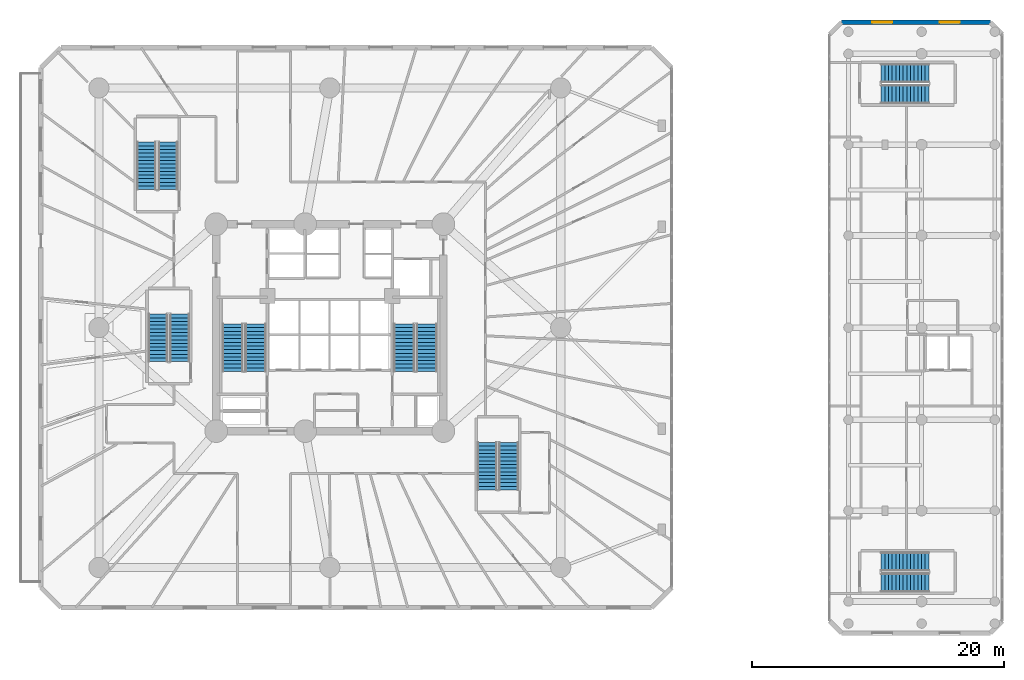
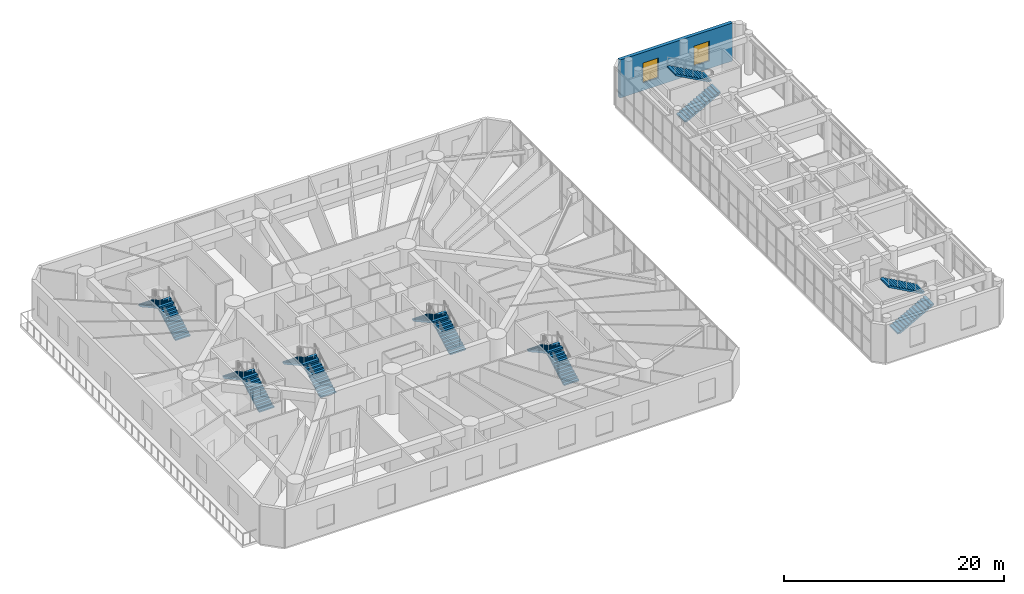
# One storey, part 18 of 24: 14 stair flights, 2 windows, 1 wall, 2 openings, 7 elements without a shape of their own.
"""IFC4 building model written with IfcOpenShell, lengths in metres."""

from ifc_helpers import new_model, si_unit, direction, frame, frame_2d, origin, origin_with_axes, place, context, subcontext, project, spatial, polyline, rectangle, outline, extrude, source, transform, mapped, material, layer, layer_set, type_object, element, fill, aggregate, save


model = new_model("IFC4")

# Units and contexts
model_context = context("Model", 3, precision=1e-05, world=origin(), true_north=direction((0.0, 1.0)))
body_context = subcontext(model_context, "Body", "Model", "MODEL_VIEW")
ifc_project = project(units=[si_unit("LENGTHUNIT", "METRE"), si_unit("AREAUNIT", "SQUARE_METRE"), si_unit("VOLUMEUNIT", "CUBIC_METRE"), si_unit("PLANEANGLEUNIT", "RADIAN"), si_unit("MASSUNIT", "GRAM", prefix="KILO")], contexts=[model_context])

# Site, building, storey
site_placement = place(None, origin())
site = spatial("IfcSite", under=ifc_project, at=site_placement, CompositionType="ELEMENT")
building_placement = place(site_placement, origin())
building = spatial("IfcBuilding", under=site, at=building_placement, Name="Karkom Vertical University and Central Library", CompositionType="ELEMENT")
storey_placement = place(building_placement, frame((0.0, 0.0, 13.5)))
storey = spatial("IfcBuildingStorey", under=building, at=storey_placement, Name="L03", CompositionType="ELEMENT", Elevation=13.5)

# Wall, openings, windows
ifc_material_1 = material(Name="Brick masonry 360mm insulated cavity", Category="masonry")
ifc_layer = layer(ifc_material_1, 0.360107421875)
ifc_layer_set = layer_set([ifc_layer], Name="Brick masonry 360mm insulated cavity")
wall_type = type_object("IfcWallType", Name="ENV-WL-BRK-360", PredefinedType="SOLIDWALL", material=ifc_layer_set)
wall_placement = place(storey_placement, frame((80.85009765625, 50.699951171875, 0.0), z_axis=(0.0, 0.0, 1.0), x_axis=(-1.0, 0.0, 0.0)))
wall = element("IfcWall", 1, at=wall_placement, inside=storey, type_object=wall_type, Name="Level 03 LIB Terracotta Brick Facade Wall 05", PredefinedType="SOLIDWALL", context=body_context, shape_type="SweptSolid", body=[
    extrude(rectangle(XDim=11.800048828125, YDim=0.360107421875, at=frame_2d((5.89990234375, 0.0))), origin(), (0.0, 0.0, 1.0), 4.22509765625),
])
opening_1_placement = place(wall_placement, frame((2.425048828125, 0.0, 0.85009765625)))
opening_1 = element("IfcOpeningElement", 2, at=opening_1_placement, cuts=wall, Name="Opening WN-02", PredefinedType="OPENING", context=body_context, shape_type="SweptSolid", body=[
    extrude(rectangle(XDim=1.60009765625, YDim=2.199951171875, at=frame_2d((0.800048828125, 1.10009765625))), frame((0.0, 0.18994140625, 0.0), z_axis=(0.0, -1.0, 0.0), x_axis=(1.0, 0.0, 0.0)), (0.0, 0.0, 1.0), 0.380126953125),
])
opening_2_placement = place(wall_placement, frame((7.77490234375, 0.0, 0.85009765625)))
opening_2 = element("IfcOpeningElement", 3, at=opening_2_placement, cuts=wall, Name="Opening WN-02", PredefinedType="OPENING", context=body_context, shape_type="SweptSolid", body=[
    extrude(rectangle(XDim=1.60009765625, YDim=2.199951171875, at=frame_2d((0.800048828125, 1.10009765625))), frame((0.0, 0.18994140625, 0.0), z_axis=(0.0, -1.0, 0.0), x_axis=(1.0, 0.0, 0.0)), (0.0, 0.0, 1.0), 0.380126953125),
])
ifc_material_2 = material(Name="Aluminium thermal-break frame with solar-control IGU", Category="aluminium")
window_type = type_object("IfcWindowType", Name="ENV-WIN-WN-02", PartitioningType="SINGLE_PANEL", PredefinedType="WINDOW", material=ifc_material_2)
shared_shape = source(origin_with_axes(), body_context, "Body", "SweptSolid", [
    extrude(rectangle(XDim=1.60009765625, YDim=2.199951171875, at=frame_2d((0.800048828125, 1.10009765625))), frame((0.0, 0.030029296875, 0.0), z_axis=(0.0, -1.0, 0.0), x_axis=(1.0, 0.0, 0.0)), (0.0, 0.0, 1.0), 0.06005859375),
])
window_1_placement = place(opening_1_placement, origin())
window_1 = element("IfcWindow", 4, at=window_1_placement, inside=storey, type_object=window_type, Name="Level 03 LIB Punched Window 01", OverallHeight=2.199951171875, OverallWidth=1.60009765625, PartitioningType="SINGLE_PANEL", PredefinedType="WINDOW", context=body_context, shape_type="MappedRepresentation", body=[
    mapped(shared_shape, transform((0.0, 0.0, 0.0), scale=1.0)),
])
fill(opening_1, window_1)
window_2_placement = place(opening_2_placement, origin())
window_2 = element("IfcWindow", 5, at=window_2_placement, inside=storey, type_object=window_type, Name="Level 03 LIB Punched Window 02", OverallHeight=2.199951171875, OverallWidth=1.60009765625, PartitioningType="SINGLE_PANEL", PredefinedType="WINDOW", context=body_context, shape_type="MappedRepresentation", body=[
    mapped(shared_shape, transform((0.0, 0.0, 0.0), scale=1.0)),
])
fill(opening_2, window_2)

# Stair, stair flights
ifc_material_3 = material(Name="Concrete C45/55", Category="concrete")
stair_type_1 = type_object("IfcStairType", Name="INT-STR-ST-LIB", PredefinedType="HALF_TURN_STAIR", material=ifc_material_3)
stair_1_placement = place(storey_placement, origin())
stair_1 = element("IfcStair", 6, at=stair_1_placement, inside=storey, type_object=stair_type_1, Name="Level 03 Central Library South Exit Stair LIB-ST1", PredefinedType="HALF_TURN_STAIR")
stair_flight_type_1 = type_object("IfcStairFlightType", Name="INT-SFL-ST-LIB", PredefinedType="STRAIGHT", material=ifc_material_3)
stair_flight_1_placement = place(storey_placement, frame((72.199951171875, 6.300048828125, 0.0), z_axis=(0.0, 0.0, 1.0), x_axis=(1.0, 0.0, 0.0)))
stair_flight_1 = element("IfcStairFlight", 7, at=stair_flight_1_placement, type_object=stair_flight_type_1, Name="LIB-ST1 flight 1", NumberOfRisers=14, NumberOfTreads=13, PredefinedType="STRAIGHT", RiserHeight=0.160714286, TreadLength=0.29, context=body_context, shape_type="SweptSolid", body=[
    extrude(outline(polyline([(0.0, 0.0), (0.0, 0.16064453125), (0.2900390625, 0.16064453125), (0.2900390625, 0.321533203125), (0.580078125, 0.321533203125), (0.580078125, 0.482177734375), (0.8701171875, 0.482177734375), (0.8701171875, 0.642822265625), (1.159912109375, 0.642822265625), (1.159912109375, 0.803466796875), (1.449951171875, 0.803466796875), (1.449951171875, 0.96435546875), (1.739990234375, 0.96435546875), (1.739990234375, 1.125), (2.030029296875, 1.125), (2.030029296875, 1.28564453125), (2.320068359375, 1.28564453125), (2.320068359375, 1.446533203125), (2.610107421875, 1.446533203125), (2.610107421875, 1.607177734375), (2.89990234375, 1.607177734375), (2.89990234375, 1.767822265625), (3.18994140625, 1.767822265625), (3.18994140625, 1.928466796875), (3.47998046875, 1.928466796875), (3.47998046875, 2.08935546875), (3.77001953125, 2.08935546875), (3.77001953125, 2.25), (3.77001953125, 1.91796875), (0.309326171875, 0.0), (0.0, 0.0)])), frame((0.0, 0.75, 0.0), z_axis=(0.0, -1.0, 0.0), x_axis=(1.0, 0.0, 0.0)), (0.0, 0.0, 1.0), 1.5),
])
stair_flight_2_placement = place(storey_placement, frame((75.969970703125, 7.9599609375, 2.25), z_axis=(0.0, 0.0, 1.0), x_axis=(-1.0, 0.0, 0.0)))
stair_flight_2 = element("IfcStairFlight", 8, at=stair_flight_2_placement, type_object=stair_flight_type_1, Name="LIB-ST1 flight 2", NumberOfRisers=14, NumberOfTreads=13, PredefinedType="STRAIGHT", RiserHeight=0.160714286, TreadLength=0.29, context=body_context, shape_type="SweptSolid", body=[
    extrude(outline(polyline([(0.0, 0.0), (0.0, 0.16064453125), (0.2900390625, 0.16064453125), (0.2900390625, 0.321533203125), (0.580078125, 0.321533203125), (0.580078125, 0.482177734375), (0.8701171875, 0.482177734375), (0.8701171875, 0.642822265625), (1.159912109375, 0.642822265625), (1.159912109375, 0.803466796875), (1.449951171875, 0.803466796875), (1.449951171875, 0.96435546875), (1.739990234375, 0.96435546875), (1.739990234375, 1.125), (2.030029296875, 1.125), (2.030029296875, 1.28564453125), (2.320068359375, 1.28564453125), (2.320068359375, 1.446533203125), (2.610107421875, 1.446533203125), (2.610107421875, 1.607177734375), (2.89990234375, 1.607177734375), (2.89990234375, 1.767822265625), (3.18994140625, 1.767822265625), (3.18994140625, 1.928466796875), (3.47998046875, 1.928466796875), (3.47998046875, 2.08935546875), (3.77001953125, 2.08935546875), (3.77001953125, 2.25), (3.77001953125, 1.91796875), (0.309326171875, 0.0), (0.0, 0.0)])), frame((0.0, 0.75, 0.0), z_axis=(0.0, -1.0, 0.0), x_axis=(1.0, 0.0, 0.0)), (0.0, 0.0, 1.0), 1.5),
])
aggregate(stair_1, [stair_flight_1, stair_flight_2])

stair_2_placement = place(storey_placement, origin())
stair_2 = element("IfcStair", 9, at=stair_2_placement, inside=storey, type_object=stair_type_1, Name="Level 03 Central Library North Exit Stair LIB-ST2", PredefinedType="HALF_TURN_STAIR")
stair_flight_3_placement = place(storey_placement, frame((72.199951171875, 45.0, 0.0), z_axis=(0.0, 0.0, 1.0), x_axis=(1.0, 0.0, 0.0)))
stair_flight_3 = element("IfcStairFlight", 10, at=stair_flight_3_placement, type_object=stair_flight_type_1, Name="LIB-ST2 flight 1", NumberOfRisers=14, NumberOfTreads=13, PredefinedType="STRAIGHT", RiserHeight=0.160714286, TreadLength=0.29, context=body_context, shape_type="SweptSolid", body=[
    extrude(outline(polyline([(0.0, 0.0), (0.0, 0.16064453125), (0.2900390625, 0.16064453125), (0.2900390625, 0.321533203125), (0.580078125, 0.321533203125), (0.580078125, 0.482177734375), (0.8701171875, 0.482177734375), (0.8701171875, 0.642822265625), (1.159912109375, 0.642822265625), (1.159912109375, 0.803466796875), (1.449951171875, 0.803466796875), (1.449951171875, 0.96435546875), (1.739990234375, 0.96435546875), (1.739990234375, 1.125), (2.030029296875, 1.125), (2.030029296875, 1.28564453125), (2.320068359375, 1.28564453125), (2.320068359375, 1.446533203125), (2.610107421875, 1.446533203125), (2.610107421875, 1.607177734375), (2.89990234375, 1.607177734375), (2.89990234375, 1.767822265625), (3.18994140625, 1.767822265625), (3.18994140625, 1.928466796875), (3.47998046875, 1.928466796875), (3.47998046875, 2.08935546875), (3.77001953125, 2.08935546875), (3.77001953125, 2.25), (3.77001953125, 1.91796875), (0.309326171875, 0.0), (0.0, 0.0)])), frame((0.0, 0.75, 0.0), z_axis=(0.0, -1.0, 0.0), x_axis=(1.0, 0.0, 0.0)), (0.0, 0.0, 1.0), 1.5),
])
stair_flight_4_placement = place(storey_placement, frame((75.969970703125, 46.659912109375, 2.25), z_axis=(0.0, 0.0, 1.0), x_axis=(-1.0, 0.0, 0.0)))
stair_flight_4 = element("IfcStairFlight", 11, at=stair_flight_4_placement, type_object=stair_flight_type_1, Name="LIB-ST2 flight 2", NumberOfRisers=14, NumberOfTreads=13, PredefinedType="STRAIGHT", RiserHeight=0.160714286, TreadLength=0.29, context=body_context, shape_type="SweptSolid", body=[
    extrude(outline(polyline([(0.0, 0.0), (0.0, 0.16064453125), (0.2900390625, 0.16064453125), (0.2900390625, 0.321533203125), (0.580078125, 0.321533203125), (0.580078125, 0.482177734375), (0.8701171875, 0.482177734375), (0.8701171875, 0.642822265625), (1.159912109375, 0.642822265625), (1.159912109375, 0.803466796875), (1.449951171875, 0.803466796875), (1.449951171875, 0.96435546875), (1.739990234375, 0.96435546875), (1.739990234375, 1.125), (2.030029296875, 1.125), (2.030029296875, 1.28564453125), (2.320068359375, 1.28564453125), (2.320068359375, 1.446533203125), (2.610107421875, 1.446533203125), (2.610107421875, 1.607177734375), (2.89990234375, 1.607177734375), (2.89990234375, 1.767822265625), (3.18994140625, 1.767822265625), (3.18994140625, 1.928466796875), (3.47998046875, 1.928466796875), (3.47998046875, 2.08935546875), (3.77001953125, 2.08935546875), (3.77001953125, 2.25), (3.77001953125, 1.91796875), (0.309326171875, 0.0), (0.0, 0.0)])), frame((0.0, 0.75, 0.0), z_axis=(0.0, -1.0, 0.0), x_axis=(1.0, 0.0, 0.0)), (0.0, 0.0, 1.0), 1.5),
])
aggregate(stair_2, [stair_flight_3, stair_flight_4])

stair_type_2 = type_object("IfcStairType", Name="INT-STR-ST-MAIN", PredefinedType="HALF_TURN_STAIR", material=ifc_material_3)
stair_3_placement = place(storey_placement, origin())
stair_3 = element("IfcStair", 12, at=stair_3_placement, inside=storey, type_object=stair_type_2, Name="Level 03 Tower Protected Exit Stair ST-1", PredefinedType="HALF_TURN_STAIR")
stair_flight_type_2 = type_object("IfcStairFlightType", Name="INT-SFL-ST-MAIN", PredefinedType="STRAIGHT", material=ifc_material_3)
stair_flight_5_placement = place(storey_placement, frame((22.614990234375, 23.02001953125, 0.0), z_axis=(0.0, 0.0, 1.0), x_axis=(0.0, 1.0, 0.0)))
stair_flight_5 = element("IfcStairFlight", 13, at=stair_flight_5_placement, type_object=stair_flight_type_2, Name="ST-1 flight 1", NumberOfRisers=14, NumberOfTreads=13, PredefinedType="STRAIGHT", RiserHeight=0.160714286, TreadLength=0.29, context=body_context, shape_type="SweptSolid", body=[
    extrude(outline(polyline([(0.0, 0.0), (0.0, 0.16064453125), (0.2900390625, 0.16064453125), (0.2900390625, 0.321533203125), (0.580078125, 0.321533203125), (0.580078125, 0.482177734375), (0.8701171875, 0.482177734375), (0.8701171875, 0.642822265625), (1.159912109375, 0.642822265625), (1.159912109375, 0.803466796875), (1.449951171875, 0.803466796875), (1.449951171875, 0.96435546875), (1.739990234375, 0.96435546875), (1.739990234375, 1.125), (2.030029296875, 1.125), (2.030029296875, 1.28564453125), (2.320068359375, 1.28564453125), (2.320068359375, 1.446533203125), (2.610107421875, 1.446533203125), (2.610107421875, 1.607177734375), (2.89990234375, 1.607177734375), (2.89990234375, 1.767822265625), (3.18994140625, 1.767822265625), (3.18994140625, 1.928466796875), (3.47998046875, 1.928466796875), (3.47998046875, 2.08935546875), (3.77001953125, 2.08935546875), (3.77001953125, 2.25), (3.77001953125, 1.91796875), (0.309326171875, 0.0), (0.0, 0.0)])), frame((0.0, 0.824951171875, 0.0), z_axis=(0.0, -1.0, 0.0), x_axis=(1.0, 0.0, 0.0)), (0.0, 0.0, 1.0), 1.64990234375),
])
stair_flight_6_placement = place(storey_placement, frame((20.804931640625, 26.7900390625, 2.25), z_axis=(0.0, 0.0, 1.0), x_axis=(0.0, -1.0, 0.0)))
stair_flight_6 = element("IfcStairFlight", 14, at=stair_flight_6_placement, type_object=stair_flight_type_2, Name="ST-1 flight 2", NumberOfRisers=14, NumberOfTreads=13, PredefinedType="STRAIGHT", RiserHeight=0.160714286, TreadLength=0.29, context=body_context, shape_type="SweptSolid", body=[
    extrude(outline(polyline([(0.0, 0.0), (0.0, 0.16064453125), (0.2900390625, 0.16064453125), (0.2900390625, 0.321533203125), (0.580078125, 0.321533203125), (0.580078125, 0.482177734375), (0.8701171875, 0.482177734375), (0.8701171875, 0.642822265625), (1.159912109375, 0.642822265625), (1.159912109375, 0.803466796875), (1.449951171875, 0.803466796875), (1.449951171875, 0.96435546875), (1.739990234375, 0.96435546875), (1.739990234375, 1.125), (2.030029296875, 1.125), (2.030029296875, 1.28564453125), (2.320068359375, 1.28564453125), (2.320068359375, 1.446533203125), (2.610107421875, 1.446533203125), (2.610107421875, 1.607177734375), (2.89990234375, 1.607177734375), (2.89990234375, 1.767822265625), (3.18994140625, 1.767822265625), (3.18994140625, 1.928466796875), (3.47998046875, 1.928466796875), (3.47998046875, 2.08935546875), (3.77001953125, 2.08935546875), (3.77001953125, 2.25), (3.77001953125, 1.91796875), (0.309326171875, 0.0), (0.0, 0.0)])), frame((0.0, 0.824951171875, 0.0), z_axis=(0.0, -1.0, 0.0), x_axis=(1.0, 0.0, 0.0)), (0.0, 0.0, 1.0), 1.64990234375),
])
aggregate(stair_3, [stair_flight_5, stair_flight_6])

stair_4_placement = place(storey_placement, origin())
stair_4 = element("IfcStair", 15, at=stair_4_placement, inside=storey, type_object=stair_type_2, Name="Level 03 Tower Protected Exit Stair ST-2", PredefinedType="HALF_TURN_STAIR")
stair_flight_7_placement = place(storey_placement, frame((36.195068359375, 23.02001953125, 0.0), z_axis=(0.0, 0.0, 1.0), x_axis=(0.0, 1.0, 0.0)))
stair_flight_7 = element("IfcStairFlight", 16, at=stair_flight_7_placement, type_object=stair_flight_type_2, Name="ST-2 flight 1", NumberOfRisers=14, NumberOfTreads=13, PredefinedType="STRAIGHT", RiserHeight=0.160714286, TreadLength=0.29, context=body_context, shape_type="SweptSolid", body=[
    extrude(outline(polyline([(0.0, 0.0), (0.0, 0.16064453125), (0.2900390625, 0.16064453125), (0.2900390625, 0.321533203125), (0.580078125, 0.321533203125), (0.580078125, 0.482177734375), (0.8701171875, 0.482177734375), (0.8701171875, 0.642822265625), (1.159912109375, 0.642822265625), (1.159912109375, 0.803466796875), (1.449951171875, 0.803466796875), (1.449951171875, 0.96435546875), (1.739990234375, 0.96435546875), (1.739990234375, 1.125), (2.030029296875, 1.125), (2.030029296875, 1.28564453125), (2.320068359375, 1.28564453125), (2.320068359375, 1.446533203125), (2.610107421875, 1.446533203125), (2.610107421875, 1.607177734375), (2.89990234375, 1.607177734375), (2.89990234375, 1.767822265625), (3.18994140625, 1.767822265625), (3.18994140625, 1.928466796875), (3.47998046875, 1.928466796875), (3.47998046875, 2.08935546875), (3.77001953125, 2.08935546875), (3.77001953125, 2.25), (3.77001953125, 1.91796875), (0.309326171875, 0.0), (0.0, 0.0)])), frame((0.0, 0.824951171875, 0.0), z_axis=(0.0, -1.0, 0.0), x_axis=(1.0, 0.0, 0.0)), (0.0, 0.0, 1.0), 1.64990234375),
])
stair_flight_8_placement = place(storey_placement, frame((34.385009765625, 26.7900390625, 2.25), z_axis=(0.0, 0.0, 1.0), x_axis=(0.0, -1.0, 0.0)))
stair_flight_8 = element("IfcStairFlight", 17, at=stair_flight_8_placement, type_object=stair_flight_type_2, Name="ST-2 flight 2", NumberOfRisers=14, NumberOfTreads=13, PredefinedType="STRAIGHT", RiserHeight=0.160714286, TreadLength=0.29, context=body_context, shape_type="SweptSolid", body=[
    extrude(outline(polyline([(0.0, 0.0), (0.0, 0.16064453125), (0.2900390625, 0.16064453125), (0.2900390625, 0.321533203125), (0.580078125, 0.321533203125), (0.580078125, 0.482177734375), (0.8701171875, 0.482177734375), (0.8701171875, 0.642822265625), (1.159912109375, 0.642822265625), (1.159912109375, 0.803466796875), (1.449951171875, 0.803466796875), (1.449951171875, 0.96435546875), (1.739990234375, 0.96435546875), (1.739990234375, 1.125), (2.030029296875, 1.125), (2.030029296875, 1.28564453125), (2.320068359375, 1.28564453125), (2.320068359375, 1.446533203125), (2.610107421875, 1.446533203125), (2.610107421875, 1.607177734375), (2.89990234375, 1.607177734375), (2.89990234375, 1.767822265625), (3.18994140625, 1.767822265625), (3.18994140625, 1.928466796875), (3.47998046875, 1.928466796875), (3.47998046875, 2.08935546875), (3.77001953125, 2.08935546875), (3.77001953125, 2.25), (3.77001953125, 1.91796875), (0.309326171875, 0.0), (0.0, 0.0)])), frame((0.0, 0.824951171875, 0.0), z_axis=(0.0, -1.0, 0.0), x_axis=(1.0, 0.0, 0.0)), (0.0, 0.0, 1.0), 1.64990234375),
])
aggregate(stair_4, [stair_flight_7, stair_flight_8])

stair_type_3 = type_object("IfcStairType", Name="INT-STR-ST-SEC", PredefinedType="HALF_TURN_STAIR", material=ifc_material_3)
stair_5_placement = place(storey_placement, origin())
stair_5 = element("IfcStair", 18, at=stair_5_placement, inside=storey, type_object=stair_type_3, Name="Level 03 Academic Zone Protected Exit Stair ST-3", PredefinedType="HALF_TURN_STAIR")
stair_flight_type_3 = type_object("IfcStairFlightType", Name="INT-SFL-ST-SEC", PredefinedType="STRAIGHT", material=ifc_material_3)
stair_flight_9_placement = place(storey_placement, frame((16.60498046875, 23.800048828125, 0.0), z_axis=(0.0, 0.0, 1.0), x_axis=(0.0, 1.0, 0.0)))
stair_flight_9 = element("IfcStairFlight", 19, at=stair_flight_9_placement, type_object=stair_flight_type_3, Name="ST-3 flight 1", NumberOfRisers=14, NumberOfTreads=13, PredefinedType="STRAIGHT", RiserHeight=0.160714286, TreadLength=0.29, context=body_context, shape_type="SweptSolid", body=[
    extrude(outline(polyline([(0.0, 0.0), (0.0, 0.16064453125), (0.2900390625, 0.16064453125), (0.2900390625, 0.321533203125), (0.580078125, 0.321533203125), (0.580078125, 0.482177734375), (0.8701171875, 0.482177734375), (0.8701171875, 0.642822265625), (1.159912109375, 0.642822265625), (1.159912109375, 0.803466796875), (1.449951171875, 0.803466796875), (1.449951171875, 0.96435546875), (1.739990234375, 0.96435546875), (1.739990234375, 1.125), (2.030029296875, 1.125), (2.030029296875, 1.28564453125), (2.320068359375, 1.28564453125), (2.320068359375, 1.446533203125), (2.610107421875, 1.446533203125), (2.610107421875, 1.607177734375), (2.89990234375, 1.607177734375), (2.89990234375, 1.767822265625), (3.18994140625, 1.767822265625), (3.18994140625, 1.928466796875), (3.47998046875, 1.928466796875), (3.47998046875, 2.08935546875), (3.77001953125, 2.08935546875), (3.77001953125, 2.25), (3.77001953125, 1.91796875), (0.309326171875, 0.0), (0.0, 0.0)])), frame((0.0, 0.77490234375, 0.0), z_axis=(0.0, -1.0, 0.0), x_axis=(1.0, 0.0, 0.0)), (0.0, 0.0, 1.0), 1.550048828125),
])
stair_flight_10_placement = place(storey_placement, frame((14.89501953125, 27.570068359375, 2.25), z_axis=(0.0, 0.0, 1.0), x_axis=(0.0, -1.0, 0.0)))
stair_flight_10 = element("IfcStairFlight", 20, at=stair_flight_10_placement, type_object=stair_flight_type_3, Name="ST-3 flight 2", NumberOfRisers=14, NumberOfTreads=13, PredefinedType="STRAIGHT", RiserHeight=0.160714286, TreadLength=0.29, context=body_context, shape_type="SweptSolid", body=[
    extrude(outline(polyline([(0.0, 0.0), (0.0, 0.16064453125), (0.2900390625, 0.16064453125), (0.2900390625, 0.321533203125), (0.580078125, 0.321533203125), (0.580078125, 0.482177734375), (0.8701171875, 0.482177734375), (0.8701171875, 0.642822265625), (1.159912109375, 0.642822265625), (1.159912109375, 0.803466796875), (1.449951171875, 0.803466796875), (1.449951171875, 0.96435546875), (1.739990234375, 0.96435546875), (1.739990234375, 1.125), (2.030029296875, 1.125), (2.030029296875, 1.28564453125), (2.320068359375, 1.28564453125), (2.320068359375, 1.446533203125), (2.610107421875, 1.446533203125), (2.610107421875, 1.607177734375), (2.89990234375, 1.607177734375), (2.89990234375, 1.767822265625), (3.18994140625, 1.767822265625), (3.18994140625, 1.928466796875), (3.47998046875, 1.928466796875), (3.47998046875, 2.08935546875), (3.77001953125, 2.08935546875), (3.77001953125, 2.25), (3.77001953125, 1.91796875), (0.309326171875, 0.0), (0.0, 0.0)])), frame((0.0, 0.77490234375, 0.0), z_axis=(0.0, -1.0, 0.0), x_axis=(1.0, 0.0, 0.0)), (0.0, 0.0, 1.0), 1.550048828125),
])
aggregate(stair_5, [stair_flight_9, stair_flight_10])

stair_6_placement = place(storey_placement, origin())
stair_6 = element("IfcStair", 21, at=stair_6_placement, inside=storey, type_object=stair_type_3, Name="Level 03 Podium Terraced Feature Stair POD-ST1", PredefinedType="HALF_TURN_STAIR")
stair_flight_11_placement = place(storey_placement, frame((42.68505859375, 13.6298828125, 0.0), z_axis=(0.0, 0.0, 1.0), x_axis=(0.0, 1.0, 0.0)))
stair_flight_11 = element("IfcStairFlight", 22, at=stair_flight_11_placement, type_object=stair_flight_type_3, Name="POD-ST1 flight 1", NumberOfRisers=14, NumberOfTreads=13, PredefinedType="STRAIGHT", RiserHeight=0.160714286, TreadLength=0.29, context=body_context, shape_type="SweptSolid", body=[
    extrude(outline(polyline([(0.0, 0.0), (0.0, 0.16064453125), (0.2900390625, 0.16064453125), (0.2900390625, 0.321533203125), (0.580078125, 0.321533203125), (0.580078125, 0.482177734375), (0.8701171875, 0.482177734375), (0.8701171875, 0.642822265625), (1.159912109375, 0.642822265625), (1.159912109375, 0.803466796875), (1.449951171875, 0.803466796875), (1.449951171875, 0.96435546875), (1.739990234375, 0.96435546875), (1.739990234375, 1.125), (2.030029296875, 1.125), (2.030029296875, 1.28564453125), (2.320068359375, 1.28564453125), (2.320068359375, 1.446533203125), (2.610107421875, 1.446533203125), (2.610107421875, 1.607177734375), (2.89990234375, 1.607177734375), (2.89990234375, 1.767822265625), (3.18994140625, 1.767822265625), (3.18994140625, 1.928466796875), (3.47998046875, 1.928466796875), (3.47998046875, 2.08935546875), (3.77001953125, 2.08935546875), (3.77001953125, 2.25), (3.77001953125, 1.91796875), (0.309326171875, 0.0), (0.0, 0.0)])), frame((0.0, 0.77490234375, 0.0), z_axis=(0.0, -1.0, 0.0), x_axis=(1.0, 0.0, 0.0)), (0.0, 0.0, 1.0), 1.550048828125),
])
stair_flight_12_placement = place(storey_placement, frame((40.97509765625, 17.39990234375, 2.25), z_axis=(0.0, 0.0, 1.0), x_axis=(0.0, -1.0, 0.0)))
stair_flight_12 = element("IfcStairFlight", 23, at=stair_flight_12_placement, type_object=stair_flight_type_3, Name="POD-ST1 flight 2", NumberOfRisers=14, NumberOfTreads=13, PredefinedType="STRAIGHT", RiserHeight=0.160714286, TreadLength=0.29, context=body_context, shape_type="SweptSolid", body=[
    extrude(outline(polyline([(0.0, 0.0), (0.0, 0.16064453125), (0.2900390625, 0.16064453125), (0.2900390625, 0.321533203125), (0.580078125, 0.321533203125), (0.580078125, 0.482177734375), (0.8701171875, 0.482177734375), (0.8701171875, 0.642822265625), (1.159912109375, 0.642822265625), (1.159912109375, 0.803466796875), (1.449951171875, 0.803466796875), (1.449951171875, 0.96435546875), (1.739990234375, 0.96435546875), (1.739990234375, 1.125), (2.030029296875, 1.125), (2.030029296875, 1.28564453125), (2.320068359375, 1.28564453125), (2.320068359375, 1.446533203125), (2.610107421875, 1.446533203125), (2.610107421875, 1.607177734375), (2.89990234375, 1.607177734375), (2.89990234375, 1.767822265625), (3.18994140625, 1.767822265625), (3.18994140625, 1.928466796875), (3.47998046875, 1.928466796875), (3.47998046875, 2.08935546875), (3.77001953125, 2.08935546875), (3.77001953125, 2.25), (3.77001953125, 1.91796875), (0.309326171875, 0.0), (0.0, 0.0)])), frame((0.0, 0.77490234375, 0.0), z_axis=(0.0, -1.0, 0.0), x_axis=(1.0, 0.0, 0.0)), (0.0, 0.0, 1.0), 1.550048828125),
])
aggregate(stair_6, [stair_flight_11, stair_flight_12])

stair_7_placement = place(storey_placement, origin())
stair_7 = element("IfcStair", 24, at=stair_7_placement, inside=storey, type_object=stair_type_3, Name="Level 03 Podium Gallery Stair POD-ST2", PredefinedType="HALF_TURN_STAIR")
stair_flight_13_placement = place(storey_placement, frame((15.68505859375, 37.429931640625, 0.0), z_axis=(0.0, 0.0, 1.0), x_axis=(0.0, 1.0, 0.0)))
stair_flight_13 = element("IfcStairFlight", 25, at=stair_flight_13_placement, type_object=stair_flight_type_3, Name="POD-ST2 flight 1", NumberOfRisers=14, NumberOfTreads=13, PredefinedType="STRAIGHT", RiserHeight=0.160714286, TreadLength=0.29, context=body_context, shape_type="SweptSolid", body=[
    extrude(outline(polyline([(0.0, 0.0), (0.0, 0.16064453125), (0.2900390625, 0.16064453125), (0.2900390625, 0.321533203125), (0.580078125, 0.321533203125), (0.580078125, 0.482177734375), (0.8701171875, 0.482177734375), (0.8701171875, 0.642822265625), (1.159912109375, 0.642822265625), (1.159912109375, 0.803466796875), (1.449951171875, 0.803466796875), (1.449951171875, 0.96435546875), (1.739990234375, 0.96435546875), (1.739990234375, 1.125), (2.030029296875, 1.125), (2.030029296875, 1.28564453125), (2.320068359375, 1.28564453125), (2.320068359375, 1.446533203125), (2.610107421875, 1.446533203125), (2.610107421875, 1.607177734375), (2.89990234375, 1.607177734375), (2.89990234375, 1.767822265625), (3.18994140625, 1.767822265625), (3.18994140625, 1.928466796875), (3.47998046875, 1.928466796875), (3.47998046875, 2.08935546875), (3.77001953125, 2.08935546875), (3.77001953125, 2.25), (3.77001953125, 1.91796875), (0.309326171875, 0.0), (0.0, 0.0)])), frame((0.0, 0.77490234375, 0.0), z_axis=(0.0, -1.0, 0.0), x_axis=(1.0, 0.0, 0.0)), (0.0, 0.0, 1.0), 1.550048828125),
])
stair_flight_14_placement = place(storey_placement, frame((13.97509765625, 41.199951171875, 2.25), z_axis=(0.0, 0.0, 1.0), x_axis=(0.0, -1.0, 0.0)))
stair_flight_14 = element("IfcStairFlight", 26, at=stair_flight_14_placement, type_object=stair_flight_type_3, Name="POD-ST2 flight 2", NumberOfRisers=14, NumberOfTreads=13, PredefinedType="STRAIGHT", RiserHeight=0.160714286, TreadLength=0.29, context=body_context, shape_type="SweptSolid", body=[
    extrude(outline(polyline([(0.0, 0.0), (0.0, 0.16064453125), (0.2900390625, 0.16064453125), (0.2900390625, 0.321533203125), (0.580078125, 0.321533203125), (0.580078125, 0.482177734375), (0.8701171875, 0.482177734375), (0.8701171875, 0.642822265625), (1.159912109375, 0.642822265625), (1.159912109375, 0.803466796875), (1.449951171875, 0.803466796875), (1.449951171875, 0.96435546875), (1.739990234375, 0.96435546875), (1.739990234375, 1.125), (2.030029296875, 1.125), (2.030029296875, 1.28564453125), (2.320068359375, 1.28564453125), (2.320068359375, 1.446533203125), (2.610107421875, 1.446533203125), (2.610107421875, 1.607177734375), (2.89990234375, 1.607177734375), (2.89990234375, 1.767822265625), (3.18994140625, 1.767822265625), (3.18994140625, 1.928466796875), (3.47998046875, 1.928466796875), (3.47998046875, 2.08935546875), (3.77001953125, 2.08935546875), (3.77001953125, 2.25), (3.77001953125, 1.91796875), (0.309326171875, 0.0), (0.0, 0.0)])), frame((0.0, 0.77490234375, 0.0), z_axis=(0.0, -1.0, 0.0), x_axis=(1.0, 0.0, 0.0)), (0.0, 0.0, 1.0), 1.550048828125),
])
aggregate(stair_7, [stair_flight_13, stair_flight_14])

save(model, "model.ifc")
